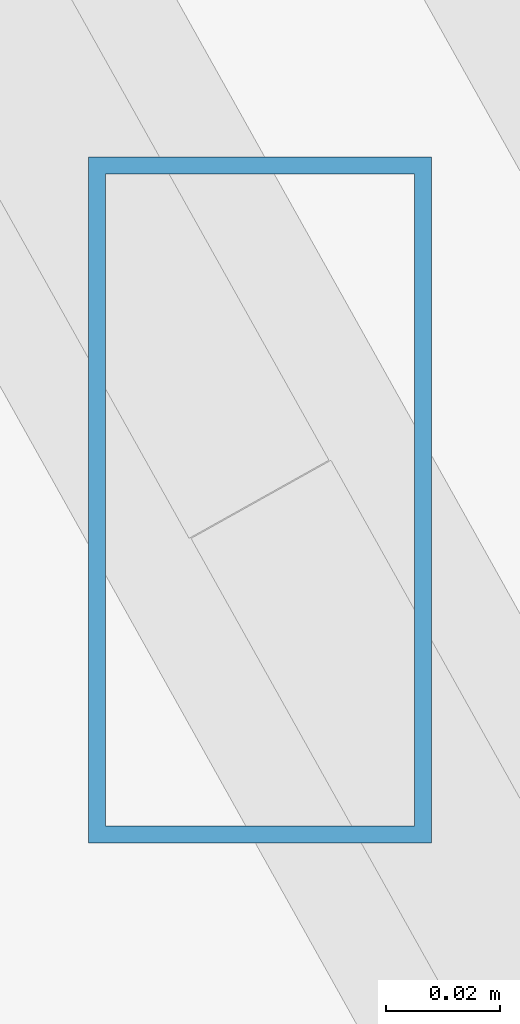
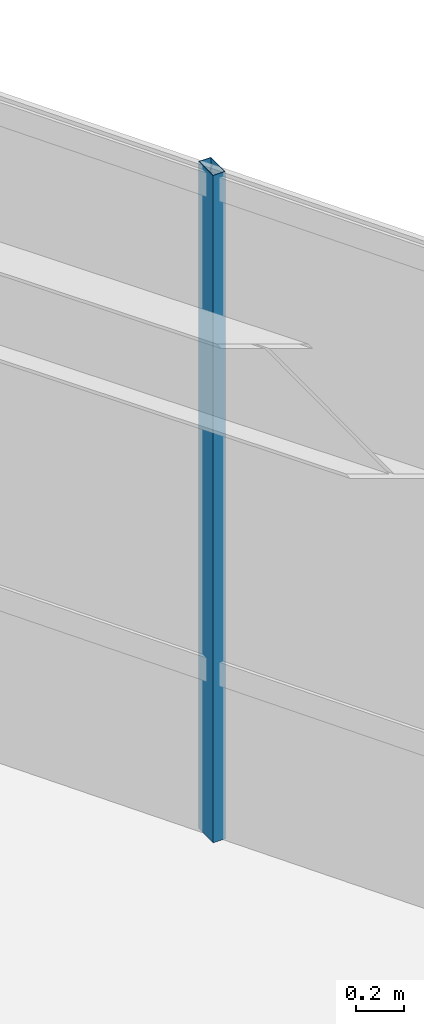
# One storey, part 36 of 44: 1 member, 1 element without a shape of its own.
"""IFC4 building model written with IfcOpenShell, lengths in metres."""

import ifcopenshell
import ifcopenshell.guid

model = None  # the IFC model being written
_history = None  # IfcOwnerHistory: only IFC2X3 demands one
_inside = {}  # id of a spatial element -> (the spatial element, [elements in it])
_under = {}  # id of a project, library or spatial element -> (it, [spatial elements below it])
_declared = {}  # id of a project -> (the project, [libraries it declares])
_typed = {}  # id of a type object -> (the type object, [elements of that type])
_made_of = {}  # id of a material, layer set ... -> (it, [elements and type objects made of it])


def new_model(schema):
    """Start an empty IFC model of exactly this schema.

    Asked for "IFC4X3", IfcOpenShell would pick the latest addendum, in which some entities
    have other attributes; the version numbers below select the first issue.
    IFC2X3 requires an IfcOwnerHistory on every rooted entity: one is made here for all.
    """
    global model, _history
    if schema == "IFC4X3":
        model = ifcopenshell.file(schema_version=(4, 3, 0, 0))
    else:
        model = ifcopenshell.file(schema=schema)
    _inside.clear()
    _under.clear()
    _declared.clear()
    _typed.clear()
    _made_of.clear()
    _history = None
    if model.schema == "IFC2X3":
        org = make("IfcOrganization", Name="unknown")
        user = make(
            "IfcPersonAndOrganization",
            ThePerson=make("IfcPerson", FamilyName="unknown"),
            TheOrganization=org,
        )
        app = make(
            "IfcApplication",
            ApplicationDeveloper=org,
            Version="unknown",
            ApplicationFullName="unknown",
            ApplicationIdentifier="unknown",
        )
        _history = make(
            "IfcOwnerHistory",
            OwningUser=user,
            OwningApplication=app,
            ChangeAction="ADDED",
            CreationDate=0,
        )
    return model


def make(cls, **values):
    """One entity of the class cls with the attributes given. An attribute that is None is left unset."""
    return model.create_entity(
        cls, **{name: value for name, value in values.items() if value is not None}
    )


def rooted(cls, **values):
    """An entity with a GlobalId (a new one), such as an element, a storey or a relation."""
    return make(cls, GlobalId=ifcopenshell.guid.new(), OwnerHistory=_history, **values)


def si_unit(unit_type, name, prefix=None):
    """IfcSIUnit, for example si_unit("LENGTHUNIT", "METRE", prefix="MILLI")."""
    return make("IfcSIUnit", UnitType=unit_type, Prefix=prefix, Name=name)


def assignment(units):
    """IfcUnitAssignment: the units of a project."""
    return None if units is None else make("IfcUnitAssignment", Units=units)


def point(xyz):
    """IfcCartesianPoint."""
    return None if xyz is None else make("IfcCartesianPoint", Coordinates=xyz)


def direction(xyz):
    """IfcDirection."""
    return None if xyz is None else make("IfcDirection", DirectionRatios=xyz)


def frame(location, z_axis=None, x_axis=None):
    """IfcAxis2Placement3D, a coordinate frame: its origin and axes. An axis left out is left unset."""
    return make(
        "IfcAxis2Placement3D",
        Location=point(location),
        Axis=direction(z_axis),
        RefDirection=direction(x_axis),
    )


def frame_2d(location, x_axis=None):
    """IfcAxis2Placement2D, a coordinate frame in the plane: its origin and x axis."""
    return make(
        "IfcAxis2Placement2D", Location=point(location), RefDirection=direction(x_axis)
    )


def origin():
    """The frame at (0, 0, 0) with its axes left unset."""
    return frame((0.0, 0.0, 0.0))


def origin_2d():
    """The frame at (0, 0) in the plane with its x axis left unset."""
    return frame_2d((0.0, 0.0))


def place(relative_to, where):
    """IfcLocalPlacement: puts the frame where relative to a parent placement (None: the world)."""
    return make(
        "IfcLocalPlacement", PlacementRelTo=relative_to, RelativePlacement=where
    )


def context(
    kind, dimensions, precision=None, world=None, true_north=None, identifier=None
):
    """IfcGeometricRepresentationContext, for example the 3D "Model" context."""
    return make(
        "IfcGeometricRepresentationContext",
        ContextIdentifier=identifier,
        ContextType=kind,
        CoordinateSpaceDimension=dimensions,
        Precision=precision,
        WorldCoordinateSystem=world,
        TrueNorth=true_north,
    )


def subcontext(parent, identifier, kind, view, scale=None):
    """IfcGeometricRepresentationSubContext, for example "Body" below "Model"."""
    return make(
        "IfcGeometricRepresentationSubContext",
        ContextIdentifier=identifier,
        ContextType=kind,
        ParentContext=parent,
        TargetScale=scale,
        TargetView=view,
    )


def project(units=None, contexts=None):
    """IfcProject with its units and contexts."""
    return rooted(
        "IfcProject",
        Name="project",
        RepresentationContexts=contexts,
        UnitsInContext=assignment(units),
    )


def spatial(cls, under=None, at=None, **own):
    """A site, building, storey or space (cls), placed at a placement, below another one or the project."""
    s = rooted(cls, ObjectPlacement=at, **own)
    if under is not None:
        _under.setdefault(under.id(), (under, []))[1].append(s)
    return s


def profile(cls, at=None, kind="AREA", **sizes):
    """A parametric profile (cls). Its sizes go by their IFC names, for example OverallWidth=200.0."""
    return make(cls, ProfileType=kind, Position=at, **sizes)


def hollow_rectangle(**sizes):
    """IfcRectangleHollowProfileDef."""
    return profile("IfcRectangleHollowProfileDef", **sizes)


def extrude(swept, where, along, depth):
    """IfcExtrudedAreaSolid: the profile swept, set in the frame where, extruded along a direction by depth."""
    return make(
        "IfcExtrudedAreaSolid",
        SweptArea=swept,
        Position=where,
        ExtrudedDirection=direction(along),
        Depth=depth,
    )


def shape(context_of_items, identifier, shape_type, items):
    """IfcShapeRepresentation: the items that make up one representation, for example the "Body"."""
    return make(
        "IfcShapeRepresentation",
        ContextOfItems=context_of_items,
        RepresentationIdentifier=identifier,
        RepresentationType=shape_type,
        Items=items,
    )


def source(mapping_origin, context_of_items, identifier, shape_type, items):
    """IfcRepresentationMap: a shape defined once, which mapped items show again and again."""
    return make(
        "IfcRepresentationMap",
        MappingOrigin=mapping_origin,
        MappedRepresentation=shape(context_of_items, identifier, shape_type, items),
    )


def transform(
    local_origin,
    x_axis=None,
    y_axis=None,
    z_axis=None,
    scale=None,
    scale2=None,
    scale3=None,
    uniform=True,
):
    """IfcCartesianTransformationOperator3D, or its non-uniform kind. x_axis, y_axis, z_axis: its Axis1, 2, 3."""
    if uniform:
        return make(
            "IfcCartesianTransformationOperator3D",
            Axis1=direction(x_axis),
            Axis2=direction(y_axis),
            LocalOrigin=point(local_origin),
            Scale=scale,
            Axis3=direction(z_axis),
        )
    return make(
        "IfcCartesianTransformationOperator3DnonUniform",
        Axis1=direction(x_axis),
        Axis2=direction(y_axis),
        LocalOrigin=point(local_origin),
        Scale=scale,
        Axis3=direction(z_axis),
        Scale2=scale2,
        Scale3=scale3,
    )


def mapped(mapping_source, mapping_target):
    """IfcMappedItem: shows the shape of a source again, moved by a transform."""
    return make(
        "IfcMappedItem", MappingSource=mapping_source, MappingTarget=mapping_target
    )


def material(Name=None, Category=None):
    """IfcMaterial."""
    return make("IfcMaterial", Name=Name, Category=Category)


def material_profile(
    of_material, cross_section, Name=None, Category=None, Priority=None
):
    """IfcMaterialProfile: a cross section and its material."""
    return make(
        "IfcMaterialProfile",
        Name=Name,
        Material=of_material,
        Profile=cross_section,
        Priority=Priority,
        Category=Category,
    )


def profile_set(profiles, Name=None, composite=None):
    """IfcMaterialProfileSet."""
    return make(
        "IfcMaterialProfileSet",
        Name=Name,
        MaterialProfiles=profiles,
        CompositeProfile=composite,
    )


def made_of(thing, what):
    """Note that an element or type object is made of a material, layer set ...; save() writes the relation."""
    if what is not None:
        _made_of.setdefault(what.id(), (what, []))[1].append(thing)
    return thing


def type_object(cls, material=None, **own):
    """A type object (cls), such as IfcWallType, which elements share."""
    return made_of(rooted(cls, **own), material)


def type_shapes(of_type, sources):
    """Give a type object the sources (RepresentationMaps) that its elements show as mapped items."""
    of_type.RepresentationMaps = sources


def element(
    cls,
    number,
    at=None,
    inside=None,
    cuts=None,
    type_object=None,
    material=None,
    context=None,
    identifier="Body",
    shape_type=None,
    held_by="IfcProductDefinitionShape",
    body=None,
    shapes=None,
    **own,
):
    """One element of the class cls, such as IfcWall. Its Tag is "e" and its number.

    at: its placement. inside: the storey or other place that contains it. cuts: it is an
    opening in that element (IfcRelVoidsElement). A single representation is given by context,
    identifier, shape_type and body (its items); several are given by shapes. held_by: the class
    of the entity that holds the representations. save() writes the other relations.
    """
    e = rooted(cls, Tag="e%d" % number, ObjectPlacement=at, **own)
    if body is not None:
        shapes = [shape(context, identifier, shape_type, body)]
    if shapes is not None:
        e.Representation = make(held_by, Representations=shapes)
    if inside is not None:
        _inside.setdefault(inside.id(), (inside, []))[1].append(e)
    if cuts is not None:
        rooted(
            "IfcRelVoidsElement", RelatingBuildingElement=cuts, RelatedOpeningElement=e
        )
    if type_object is not None:
        _typed.setdefault(type_object.id(), (type_object, []))[1].append(e)
    return made_of(e, material)


def aggregate(whole, parts):
    """IfcRelAggregates: a whole, such as a stair, and the parts it consists of."""
    return rooted("IfcRelAggregates", RelatingObject=whole, RelatedObjects=parts)


def save(model, path):
    """Write the relations noted so far, then the file.

    IfcRelAggregates (storeys below a building ...), IfcRelContainedInSpatialStructure (elements
    in a storey), IfcRelDefinesByType, IfcRelAssociatesMaterial and IfcRelDeclares: one each for
    every whole, place, type object, material and project.
    """
    for whole, parts in _under.values():
        aggregate(whole, parts)
    for where, things in _inside.values():
        rooted(
            "IfcRelContainedInSpatialStructure",
            RelatedElements=things,
            RelatingStructure=where,
        )
    for kind, things in _typed.values():
        rooted("IfcRelDefinesByType", RelatedObjects=things, RelatingType=kind)
    for what, things in _made_of.values():
        rooted("IfcRelAssociatesMaterial", RelatedObjects=things, RelatingMaterial=what)
    for by, libraries in _declared.values():
        rooted("IfcRelDeclares", RelatingContext=by, RelatedDefinitions=libraries)
    model.write(path)


model = new_model("IFC4")

# Units and contexts
model_context = context("Model", 3, precision=1e-05, world=origin(), true_north=direction((0.0, 1.0)))
body_context = subcontext(model_context, "Body", "Model", "MODEL_VIEW")
ifc_project = project(units=[si_unit("LENGTHUNIT", "METRE"), si_unit("AREAUNIT", "SQUARE_METRE"), si_unit("VOLUMEUNIT", "CUBIC_METRE"), si_unit("PLANEANGLEUNIT", "RADIAN"), si_unit("MASSUNIT", "GRAM", prefix="KILO")], contexts=[model_context])

# Site, building, storey
site_placement = place(None, origin())
site = spatial("IfcSite", under=ifc_project, at=site_placement, CompositionType="ELEMENT")
building_placement = place(site_placement, origin())
building = spatial("IfcBuilding", under=site, at=building_placement, Name="Caelisora Broadcast Tower", CompositionType="ELEMENT")
storey_placement = place(building_placement, frame((0.0, 0.0, 259.050048828125)))
storey = spatial("IfcBuildingStorey", under=building, at=storey_placement, Name="L68", CompositionType="ELEMENT", Elevation=259.050048828125)

# Curtain wall, member
ifc_material_1 = material(Name="Unitised Aluminium and Low-E Glass Curtain Wall", Category="glass")
curtain_wall_type = type_object("IfcCurtainWallType", Name="CW-Z5", PredefinedType="NOTDEFINED", material=ifc_material_1)
curtain_wall_placement = place(storey_placement, origin())
curtain_wall = element("IfcCurtainWall", 1, at=curtain_wall_placement, inside=storey, type_object=curtain_wall_type, Name="L68 curtain wall CW-Z5", PredefinedType="NOTDEFINED")
ifc_material_2 = material(Name="Aluminium 6063-T6 Anodised Terracotta Bronze", Category="aluminium")
ifc_material_profile = material_profile(ifc_material_2, hollow_rectangle(XDim=0.06005859375, YDim=0.1201171875, WallThickness=0.0029296875, at=origin_2d()), Name="Aluminium 6063-T6 Anodised Terracotta Bronze")
ifc_profile_set = profile_set([ifc_material_profile], Name="Aluminium 6063-T6 Anodised Terracotta Bronze")
member_type = type_object("IfcMemberType", Name="CWM-04", PredefinedType="MULLION", material=ifc_profile_set)
shared_shape = source(origin(), body_context, "Body", "SweptSolid", [
    extrude(hollow_rectangle(XDim=0.06005859375, YDim=0.1201171875, WallThickness=0.0029296875, at=origin_2d()), origin(), (0.0, 0.0, 1.0), 3.39990234375),
])
type_shapes(member_type, [shared_shape])
member_placement = place(storey_placement, frame((45.28076171875, 42.503662109375, 0.0), z_axis=(0.0, 0.0, 1.0), x_axis=(1.0, 0.0, 0.0)))
member = element("IfcMember", 2, at=member_placement, type_object=member_type, Name="L68-CW-B01 mullion #2", PredefinedType="MULLION", context=body_context, shape_type="MappedRepresentation", body=[
    mapped(shared_shape, transform((0.0, 0.0, 0.0), scale=1.0)),
])
aggregate(curtain_wall, [member])

save(model, "model.ifc")
